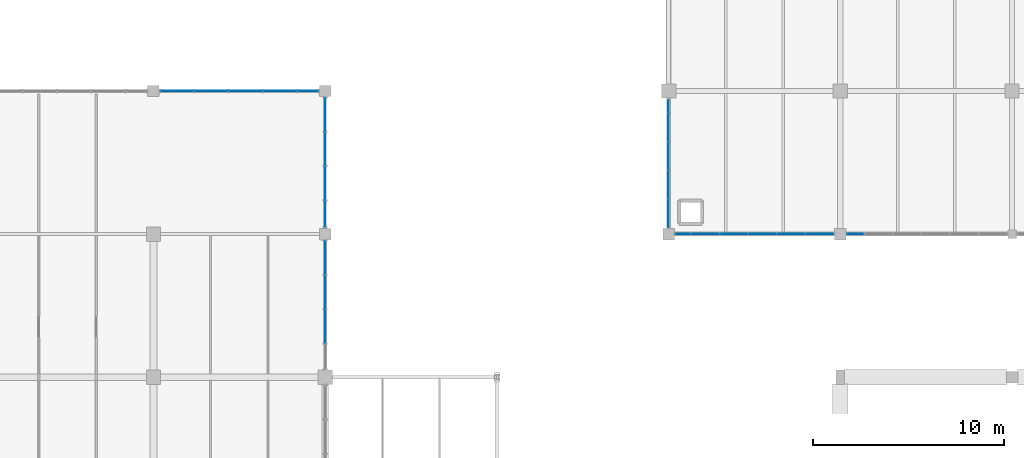
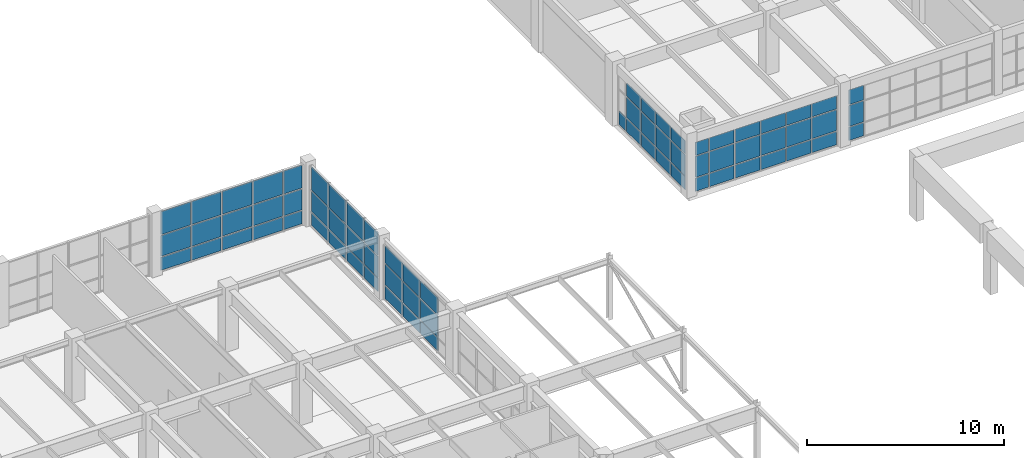
# One storey, part 46 of 76: 70 plates, 6 elements without a shape of their own.
"""IFC4 building model written with IfcOpenShell, lengths in metres."""

from ifc_helpers import new_model, si_unit, direction, frame, origin, origin_2d, place, context, subcontext, project, spatial, rectangle, extrude, material, layer, layer_set, type_object, element, aggregate, save


model = new_model("IFC4")

# Units and contexts
model_context = context("Model", 3, precision=1e-05, world=origin(), true_north=direction((0.0, 1.0)))
body_context = subcontext(model_context, "Body", "Model", "MODEL_VIEW")
ifc_project = project(units=[si_unit("LENGTHUNIT", "METRE"), si_unit("AREAUNIT", "SQUARE_METRE"), si_unit("VOLUMEUNIT", "CUBIC_METRE"), si_unit("PLANEANGLEUNIT", "RADIAN"), si_unit("MASSUNIT", "GRAM", prefix="KILO")], contexts=[model_context])

# Site, building, storey
site_placement = place(None, origin())
site = spatial("IfcSite", under=ifc_project, at=site_placement, CompositionType="ELEMENT")
building_placement = place(site_placement, origin())
building = spatial("IfcBuilding", under=site, at=building_placement, Name="Marnridge Secondary College", CompositionType="ELEMENT")
storey_placement = place(building_placement, frame((0.0, 0.0, 4.5)))
storey = spatial("IfcBuildingStorey", under=building, at=storey_placement, Name="L01", CompositionType="ELEMENT", Elevation=4.5)

# Curtain wall, plates
ifc_material_1 = material(Name="Thermally broken aluminium and low-E glazing", Category="aluminium")
ifc_layer_1 = layer(ifc_material_1, 0.159912109375)
ifc_layer_set_1 = layer_set([ifc_layer_1], Name="CW-MOD-1500")
curtain_wall_type_1 = type_object("IfcCurtainWallType", Name="CW-MOD-1500", PredefinedType="NOTDEFINED", material=ifc_layer_set_1)
curtain_wall_1_placement = place(storey_placement, origin())
curtain_wall_1 = element("IfcCurtainWall", 1, at=curtain_wall_1_placement, inside=storey, type_object=curtain_wall_type_1, Name="Unitised curtain wall CW-L01-037", PredefinedType="NOTDEFINED")
ifc_material_2 = material(Name="Double-glazed low-E argon unit", Category="glass")
ifc_layer_2 = layer(ifc_material_2, 0.028076171875)
ifc_layer_set_2 = layer_set([ifc_layer_2], Name="CWP-GLZ28")
plate_type_1 = type_object("IfcPlateType", Name="CWP-GLZ28", PredefinedType="CURTAIN_PANEL", material=ifc_layer_set_2)
plate_1_placement = place(storey_placement, frame((63.78759765625, 37.5, 0.06005859375), z_axis=(0.0, 0.0, 1.0), x_axis=(-1.0, 0.0, 0.0)))
plate_1 = element("IfcPlate", 2, at=plate_1_placement, type_object=plate_type_1, Name="CW-L01-037 panel 6.1", PredefinedType="CURTAIN_PANEL", context=body_context, shape_type="SweptSolid", body=[
    extrude(rectangle(XDim=0.846923828125, YDim=0.028076171875, at=origin_2d()), origin(), (0.0, 0.0, 1.0), 0.81005859375),
])
plate_2_placement = place(storey_placement, frame((63.78759765625, 37.5, 0.929931640625), z_axis=(0.0, 0.0, 1.0), x_axis=(-1.0, 0.0, 0.0)))
plate_2 = element("IfcPlate", 3, at=plate_2_placement, type_object=plate_type_1, Name="CW-L01-037 panel 6.2", PredefinedType="CURTAIN_PANEL", context=body_context, shape_type="SweptSolid", body=[
    extrude(rectangle(XDim=0.846923828125, YDim=0.028076171875, at=origin_2d()), origin(), (0.0, 0.0, 1.0), 1.2900390625),
])
plate_3_placement = place(storey_placement, frame((63.78759765625, 37.5, 2.27978515625), z_axis=(0.0, 0.0, 1.0), x_axis=(-1.0, 0.0, 0.0)))
plate_3 = element("IfcPlate", 4, at=plate_3_placement, type_object=plate_type_1, Name="CW-L01-037 panel 6.3", PredefinedType="CURTAIN_PANEL", context=body_context, shape_type="SweptSolid", body=[
    extrude(rectangle(XDim=0.846923828125, YDim=0.028076171875, at=origin_2d()), origin(), (0.0, 0.0, 1.0), 0.906982421875),
])
aggregate(curtain_wall_1, [plate_1, plate_2, plate_3])

curtain_wall_2_placement = place(storey_placement, origin())
curtain_wall_2 = element("IfcCurtainWall", 5, at=curtain_wall_2_placement, inside=storey, type_object=curtain_wall_type_1, Name="Unitised curtain wall CW-L01-038", PredefinedType="NOTDEFINED")
plate_4_placement = place(storey_placement, frame((61.916015625, 37.5, 0.06005859375), z_axis=(0.0, 0.0, 1.0), x_axis=(-1.0, 0.0, 0.0)))
plate_4 = element("IfcPlate", 6, at=plate_4_placement, type_object=plate_type_1, Name="CW-L01-038 panel 1.1", PredefinedType="CURTAIN_PANEL", context=body_context, shape_type="SweptSolid", body=[
    extrude(rectangle(XDim=1.43994140625, YDim=0.028076171875, at=origin_2d()), origin(), (0.0, 0.0, 1.0), 0.81005859375),
])
plate_5_placement = place(storey_placement, frame((61.916015625, 37.5, 0.929931640625), z_axis=(0.0, 0.0, 1.0), x_axis=(-1.0, 0.0, 0.0)))
plate_5 = element("IfcPlate", 7, at=plate_5_placement, type_object=plate_type_1, Name="CW-L01-038 panel 1.2", PredefinedType="CURTAIN_PANEL", context=body_context, shape_type="SweptSolid", body=[
    extrude(rectangle(XDim=1.43994140625, YDim=0.028076171875, at=origin_2d()), origin(), (0.0, 0.0, 1.0), 1.2900390625),
])
plate_6_placement = place(storey_placement, frame((61.916015625, 37.5, 2.2802734375), z_axis=(0.0, 0.0, 1.0), x_axis=(-1.0, 0.0, 0.0)))
plate_6 = element("IfcPlate", 8, at=plate_6_placement, type_object=plate_type_1, Name="CW-L01-038 panel 1.3", PredefinedType="CURTAIN_PANEL", context=body_context, shape_type="SweptSolid", body=[
    extrude(rectangle(XDim=1.43994140625, YDim=0.028076171875, at=origin_2d()), origin(), (0.0, 0.0, 1.0), 0.806884765625),
])
plate_7_placement = place(storey_placement, frame((60.416015625, 37.5, 0.06005859375), z_axis=(0.0, 0.0, 1.0), x_axis=(-1.0, 0.0, 0.0)))
plate_7 = element("IfcPlate", 9, at=plate_7_placement, type_object=plate_type_1, Name="CW-L01-038 panel 2.1", PredefinedType="CURTAIN_PANEL", context=body_context, shape_type="SweptSolid", body=[
    extrude(rectangle(XDim=1.43994140625, YDim=0.028076171875, at=origin_2d()), origin(), (0.0, 0.0, 1.0), 0.81005859375),
])
plate_8_placement = place(storey_placement, frame((60.416015625, 37.5, 0.929931640625), z_axis=(0.0, 0.0, 1.0), x_axis=(-1.0, 0.0, 0.0)))
plate_8 = element("IfcPlate", 10, at=plate_8_placement, type_object=plate_type_1, Name="CW-L01-038 panel 2.2", PredefinedType="CURTAIN_PANEL", context=body_context, shape_type="SweptSolid", body=[
    extrude(rectangle(XDim=1.43994140625, YDim=0.028076171875, at=origin_2d()), origin(), (0.0, 0.0, 1.0), 1.2900390625),
])
plate_9_placement = place(storey_placement, frame((60.416015625, 37.5, 2.2802734375), z_axis=(0.0, 0.0, 1.0), x_axis=(-1.0, 0.0, 0.0)))
plate_9 = element("IfcPlate", 11, at=plate_9_placement, type_object=plate_type_1, Name="CW-L01-038 panel 2.3", PredefinedType="CURTAIN_PANEL", context=body_context, shape_type="SweptSolid", body=[
    extrude(rectangle(XDim=1.43994140625, YDim=0.028076171875, at=origin_2d()), origin(), (0.0, 0.0, 1.0), 0.806884765625),
])
plate_10_placement = place(storey_placement, frame((58.916015625, 37.5, 0.06005859375), z_axis=(0.0, 0.0, 1.0), x_axis=(-1.0, 0.0, 0.0)))
plate_10 = element("IfcPlate", 12, at=plate_10_placement, type_object=plate_type_1, Name="CW-L01-038 panel 3.1", PredefinedType="CURTAIN_PANEL", context=body_context, shape_type="SweptSolid", body=[
    extrude(rectangle(XDim=1.43994140625, YDim=0.028076171875, at=origin_2d()), origin(), (0.0, 0.0, 1.0), 0.81005859375),
])
plate_11_placement = place(storey_placement, frame((58.916015625, 37.5, 0.929931640625), z_axis=(0.0, 0.0, 1.0), x_axis=(-1.0, 0.0, 0.0)))
plate_11 = element("IfcPlate", 13, at=plate_11_placement, type_object=plate_type_1, Name="CW-L01-038 panel 3.2", PredefinedType="CURTAIN_PANEL", context=body_context, shape_type="SweptSolid", body=[
    extrude(rectangle(XDim=1.43994140625, YDim=0.028076171875, at=origin_2d()), origin(), (0.0, 0.0, 1.0), 1.2900390625),
])
plate_12_placement = place(storey_placement, frame((58.916015625, 37.5, 2.2802734375), z_axis=(0.0, 0.0, 1.0), x_axis=(-1.0, 0.0, 0.0)))
plate_12 = element("IfcPlate", 14, at=plate_12_placement, type_object=plate_type_1, Name="CW-L01-038 panel 3.3", PredefinedType="CURTAIN_PANEL", context=body_context, shape_type="SweptSolid", body=[
    extrude(rectangle(XDim=1.43994140625, YDim=0.028076171875, at=origin_2d()), origin(), (0.0, 0.0, 1.0), 0.806884765625),
])
plate_13_placement = place(storey_placement, frame((57.416015625, 37.5, 0.06005859375), z_axis=(0.0, 0.0, 1.0), x_axis=(-1.0, 0.0, 0.0)))
plate_13 = element("IfcPlate", 15, at=plate_13_placement, type_object=plate_type_1, Name="CW-L01-038 panel 4.1", PredefinedType="CURTAIN_PANEL", context=body_context, shape_type="SweptSolid", body=[
    extrude(rectangle(XDim=1.43994140625, YDim=0.028076171875, at=origin_2d()), origin(), (0.0, 0.0, 1.0), 0.81005859375),
])
plate_14_placement = place(storey_placement, frame((57.416015625, 37.5, 0.929931640625), z_axis=(0.0, 0.0, 1.0), x_axis=(-1.0, 0.0, 0.0)))
plate_14 = element("IfcPlate", 16, at=plate_14_placement, type_object=plate_type_1, Name="CW-L01-038 panel 4.2", PredefinedType="CURTAIN_PANEL", context=body_context, shape_type="SweptSolid", body=[
    extrude(rectangle(XDim=1.43994140625, YDim=0.028076171875, at=origin_2d()), origin(), (0.0, 0.0, 1.0), 1.2900390625),
])
plate_15_placement = place(storey_placement, frame((57.416015625, 37.5, 2.2802734375), z_axis=(0.0, 0.0, 1.0), x_axis=(-1.0, 0.0, 0.0)))
plate_15 = element("IfcPlate", 17, at=plate_15_placement, type_object=plate_type_1, Name="CW-L01-038 panel 4.3", PredefinedType="CURTAIN_PANEL", context=body_context, shape_type="SweptSolid", body=[
    extrude(rectangle(XDim=1.43994140625, YDim=0.028076171875, at=origin_2d()), origin(), (0.0, 0.0, 1.0), 0.806884765625),
])
plate_16_placement = place(storey_placement, frame((55.916015625, 37.5, 0.06005859375), z_axis=(0.0, 0.0, 1.0), x_axis=(-1.0, 0.0, 0.0)))
plate_16 = element("IfcPlate", 18, at=plate_16_placement, type_object=plate_type_1, Name="CW-L01-038 panel 5.1", PredefinedType="CURTAIN_PANEL", context=body_context, shape_type="SweptSolid", body=[
    extrude(rectangle(XDim=1.43994140625, YDim=0.028076171875, at=origin_2d()), origin(), (0.0, 0.0, 1.0), 0.81005859375),
])
plate_17_placement = place(storey_placement, frame((55.916015625, 37.5, 0.929931640625), z_axis=(0.0, 0.0, 1.0), x_axis=(-1.0, 0.0, 0.0)))
plate_17 = element("IfcPlate", 19, at=plate_17_placement, type_object=plate_type_1, Name="CW-L01-038 panel 5.2", PredefinedType="CURTAIN_PANEL", context=body_context, shape_type="SweptSolid", body=[
    extrude(rectangle(XDim=1.43994140625, YDim=0.028076171875, at=origin_2d()), origin(), (0.0, 0.0, 1.0), 1.2900390625),
])
plate_18_placement = place(storey_placement, frame((55.916015625, 37.5, 2.2802734375), z_axis=(0.0, 0.0, 1.0), x_axis=(-1.0, 0.0, 0.0)))
plate_18 = element("IfcPlate", 20, at=plate_18_placement, type_object=plate_type_1, Name="CW-L01-038 panel 5.3", PredefinedType="CURTAIN_PANEL", context=body_context, shape_type="SweptSolid", body=[
    extrude(rectangle(XDim=1.43994140625, YDim=0.028076171875, at=origin_2d()), origin(), (0.0, 0.0, 1.0), 0.806884765625),
])
plate_19_placement = place(storey_placement, frame((54.75, 37.5, 0.06005859375), z_axis=(0.0, 0.0, 1.0), x_axis=(-1.0, 0.0, 0.0)))
plate_19 = element("IfcPlate", 21, at=plate_19_placement, type_object=plate_type_1, Name="CW-L01-038 panel 6.1", PredefinedType="CURTAIN_PANEL", context=body_context, shape_type="SweptSolid", body=[
    extrude(rectangle(XDim=0.77197265625, YDim=0.028076171875, at=origin_2d()), origin(), (0.0, 0.0, 1.0), 0.81005859375),
])
plate_20_placement = place(storey_placement, frame((54.75, 37.5, 0.929931640625), z_axis=(0.0, 0.0, 1.0), x_axis=(-1.0, 0.0, 0.0)))
plate_20 = element("IfcPlate", 22, at=plate_20_placement, type_object=plate_type_1, Name="CW-L01-038 panel 6.2", PredefinedType="CURTAIN_PANEL", context=body_context, shape_type="SweptSolid", body=[
    extrude(rectangle(XDim=0.77197265625, YDim=0.028076171875, at=origin_2d()), origin(), (0.0, 0.0, 1.0), 1.2900390625),
])
plate_21_placement = place(storey_placement, frame((54.75, 37.5, 2.2802734375), z_axis=(0.0, 0.0, 1.0), x_axis=(-1.0, 0.0, 0.0)))
plate_21 = element("IfcPlate", 23, at=plate_21_placement, type_object=plate_type_1, Name="CW-L01-038 panel 6.3", PredefinedType="CURTAIN_PANEL", context=body_context, shape_type="SweptSolid", body=[
    extrude(rectangle(XDim=0.77197265625, YDim=0.028076171875, at=origin_2d()), origin(), (0.0, 0.0, 1.0), 0.806884765625),
])
aggregate(curtain_wall_2, [plate_4, plate_5, plate_6, plate_7, plate_8, plate_9, plate_10, plate_11, plate_12, plate_13, plate_14, plate_15, plate_16, plate_17, plate_18, plate_19, plate_20, plate_21])

curtain_wall_3_placement = place(storey_placement, origin())
curtain_wall_3 = element("IfcCurtainWall", 24, at=curtain_wall_3_placement, inside=storey, type_object=curtain_wall_type_1, Name="Unitised curtain wall CW-L01-039", PredefinedType="NOTDEFINED")
plate_22_placement = place(storey_placement, frame((54.0, 38.583984375, 0.06005859375), z_axis=(0.0, 0.0, 1.0), x_axis=(0.0, 1.0, 0.0)))
plate_22 = element("IfcPlate", 25, at=plate_22_placement, type_object=plate_type_1, Name="CW-L01-039 panel 1.1", PredefinedType="CURTAIN_PANEL", context=body_context, shape_type="SweptSolid", body=[
    extrude(rectangle(XDim=1.43994140625, YDim=0.028076171875, at=origin_2d()), origin(), (0.0, 0.0, 1.0), 0.81005859375),
])
plate_23_placement = place(storey_placement, frame((54.0, 38.583984375, 0.929931640625), z_axis=(0.0, 0.0, 1.0), x_axis=(0.0, 1.0, 0.0)))
plate_23 = element("IfcPlate", 26, at=plate_23_placement, type_object=plate_type_1, Name="CW-L01-039 panel 1.2", PredefinedType="CURTAIN_PANEL", context=body_context, shape_type="SweptSolid", body=[
    extrude(rectangle(XDim=1.43994140625, YDim=0.028076171875, at=origin_2d()), origin(), (0.0, 0.0, 1.0), 1.2900390625),
])
plate_24_placement = place(storey_placement, frame((54.0, 38.583984375, 2.2802734375), z_axis=(0.0, 0.0, 1.0), x_axis=(0.0, 1.0, 0.0)))
plate_24 = element("IfcPlate", 27, at=plate_24_placement, type_object=plate_type_1, Name="CW-L01-039 panel 1.3", PredefinedType="CURTAIN_PANEL", context=body_context, shape_type="SweptSolid", body=[
    extrude(rectangle(XDim=1.43994140625, YDim=0.028076171875, at=origin_2d()), origin(), (0.0, 0.0, 1.0), 0.806884765625),
])
plate_25_placement = place(storey_placement, frame((54.0, 40.083984375, 0.06005859375), z_axis=(0.0, 0.0, 1.0), x_axis=(0.0, 1.0, 0.0)))
plate_25 = element("IfcPlate", 28, at=plate_25_placement, type_object=plate_type_1, Name="CW-L01-039 panel 2.1", PredefinedType="CURTAIN_PANEL", context=body_context, shape_type="SweptSolid", body=[
    extrude(rectangle(XDim=1.43994140625, YDim=0.028076171875, at=origin_2d()), origin(), (0.0, 0.0, 1.0), 0.81005859375),
])
plate_26_placement = place(storey_placement, frame((54.0, 40.083984375, 0.929931640625), z_axis=(0.0, 0.0, 1.0), x_axis=(0.0, 1.0, 0.0)))
plate_26 = element("IfcPlate", 29, at=plate_26_placement, type_object=plate_type_1, Name="CW-L01-039 panel 2.2", PredefinedType="CURTAIN_PANEL", context=body_context, shape_type="SweptSolid", body=[
    extrude(rectangle(XDim=1.43994140625, YDim=0.028076171875, at=origin_2d()), origin(), (0.0, 0.0, 1.0), 1.2900390625),
])
plate_27_placement = place(storey_placement, frame((54.0, 40.083984375, 2.2802734375), z_axis=(0.0, 0.0, 1.0), x_axis=(0.0, 1.0, 0.0)))
plate_27 = element("IfcPlate", 30, at=plate_27_placement, type_object=plate_type_1, Name="CW-L01-039 panel 2.3", PredefinedType="CURTAIN_PANEL", context=body_context, shape_type="SweptSolid", body=[
    extrude(rectangle(XDim=1.43994140625, YDim=0.028076171875, at=origin_2d()), origin(), (0.0, 0.0, 1.0), 0.806884765625),
])
plate_28_placement = place(storey_placement, frame((54.0, 41.583984375, 0.06005859375), z_axis=(0.0, 0.0, 1.0), x_axis=(0.0, 1.0, 0.0)))
plate_28 = element("IfcPlate", 31, at=plate_28_placement, type_object=plate_type_1, Name="CW-L01-039 panel 3.1", PredefinedType="CURTAIN_PANEL", context=body_context, shape_type="SweptSolid", body=[
    extrude(rectangle(XDim=1.43994140625, YDim=0.028076171875, at=origin_2d()), origin(), (0.0, 0.0, 1.0), 0.81005859375),
])
plate_29_placement = place(storey_placement, frame((54.0, 41.583984375, 0.929931640625), z_axis=(0.0, 0.0, 1.0), x_axis=(0.0, 1.0, 0.0)))
plate_29 = element("IfcPlate", 32, at=plate_29_placement, type_object=plate_type_1, Name="CW-L01-039 panel 3.2", PredefinedType="CURTAIN_PANEL", context=body_context, shape_type="SweptSolid", body=[
    extrude(rectangle(XDim=1.43994140625, YDim=0.028076171875, at=origin_2d()), origin(), (0.0, 0.0, 1.0), 1.2900390625),
])
plate_30_placement = place(storey_placement, frame((54.0, 41.583984375, 2.2802734375), z_axis=(0.0, 0.0, 1.0), x_axis=(0.0, 1.0, 0.0)))
plate_30 = element("IfcPlate", 33, at=plate_30_placement, type_object=plate_type_1, Name="CW-L01-039 panel 3.3", PredefinedType="CURTAIN_PANEL", context=body_context, shape_type="SweptSolid", body=[
    extrude(rectangle(XDim=1.43994140625, YDim=0.028076171875, at=origin_2d()), origin(), (0.0, 0.0, 1.0), 0.806884765625),
])
plate_31_placement = place(storey_placement, frame((54.0, 43.083984375, 0.06005859375), z_axis=(0.0, 0.0, 1.0), x_axis=(0.0, 1.0, 0.0)))
plate_31 = element("IfcPlate", 34, at=plate_31_placement, type_object=plate_type_1, Name="CW-L01-039 panel 4.1", PredefinedType="CURTAIN_PANEL", context=body_context, shape_type="SweptSolid", body=[
    extrude(rectangle(XDim=1.43994140625, YDim=0.028076171875, at=origin_2d()), origin(), (0.0, 0.0, 1.0), 0.81005859375),
])
plate_32_placement = place(storey_placement, frame((54.0, 43.083984375, 0.929931640625), z_axis=(0.0, 0.0, 1.0), x_axis=(0.0, 1.0, 0.0)))
plate_32 = element("IfcPlate", 35, at=plate_32_placement, type_object=plate_type_1, Name="CW-L01-039 panel 4.2", PredefinedType="CURTAIN_PANEL", context=body_context, shape_type="SweptSolid", body=[
    extrude(rectangle(XDim=1.43994140625, YDim=0.028076171875, at=origin_2d()), origin(), (0.0, 0.0, 1.0), 1.2900390625),
])
plate_33_placement = place(storey_placement, frame((54.0, 43.083984375, 2.2802734375), z_axis=(0.0, 0.0, 1.0), x_axis=(0.0, 1.0, 0.0)))
plate_33 = element("IfcPlate", 36, at=plate_33_placement, type_object=plate_type_1, Name="CW-L01-039 panel 4.3", PredefinedType="CURTAIN_PANEL", context=body_context, shape_type="SweptSolid", body=[
    extrude(rectangle(XDim=1.43994140625, YDim=0.028076171875, at=origin_2d()), origin(), (0.0, 0.0, 1.0), 0.806884765625),
])
plate_34_placement = place(storey_placement, frame((54.0, 44.21240234375, 0.06005859375), z_axis=(0.0, 0.0, 1.0), x_axis=(0.0, 1.0, 0.0)))
plate_34 = element("IfcPlate", 37, at=plate_34_placement, type_object=plate_type_1, Name="CW-L01-039 panel 5.1", PredefinedType="CURTAIN_PANEL", context=body_context, shape_type="SweptSolid", body=[
    extrude(rectangle(XDim=0.697021484375, YDim=0.028076171875, at=origin_2d()), origin(), (0.0, 0.0, 1.0), 0.81005859375),
])
aggregate(curtain_wall_3, [plate_22, plate_23, plate_24, plate_25, plate_26, plate_27, plate_28, plate_29, plate_30, plate_31, plate_32, plate_33, plate_34])

ifc_material_3 = material(Name="Bronze-anodised aluminium and solar-control glazing", Category="aluminium")
ifc_layer_3 = layer(ifc_material_3, 0.199951171875)
ifc_layer_set_3 = layer_set([ifc_layer_3], Name="CW-MOD-1800")
curtain_wall_type_2 = type_object("IfcCurtainWallType", Name="CW-MOD-1800", PredefinedType="NOTDEFINED", material=ifc_layer_set_3)
curtain_wall_4_placement = place(storey_placement, origin())
curtain_wall_4 = element("IfcCurtainWall", 38, at=curtain_wall_4_placement, inside=storey, type_object=curtain_wall_type_2, Name="Unitised curtain wall CW-L01-062", PredefinedType="NOTDEFINED")
ifc_material_4 = material(Name="Acoustic laminated solar-control double glazing", Category="glass")
ifc_layer_4 = layer(ifc_material_4, 0.035888671875)
ifc_layer_set_4 = layer_set([ifc_layer_4], Name="CWP-GLZ36")
plate_type_2 = type_object("IfcPlateType", Name="CWP-GLZ36", PredefinedType="CURTAIN_PANEL", material=ifc_layer_set_4)
plate_35_placement = place(storey_placement, frame((28.239013671875, 45.0, 0.06494140625), z_axis=(0.0, 0.0, 1.0), x_axis=(1.0, 0.0, 0.0)))
plate_35 = element("IfcPlate", 39, at=plate_35_placement, type_object=plate_type_2, Name="CW-L01-062 panel 1.1", PredefinedType="CURTAIN_PANEL", context=body_context, shape_type="SweptSolid", body=[
    extrude(rectangle(XDim=1.72998046875, YDim=0.035888671875, at=origin_2d()), origin(), (0.0, 0.0, 1.0), 0.802490234375),
])
plate_36_placement = place(storey_placement, frame((28.239013671875, 45.0, 0.9326171875), z_axis=(0.0, 0.0, 1.0), x_axis=(1.0, 0.0, 0.0)))
plate_36 = element("IfcPlate", 40, at=plate_36_placement, type_object=plate_type_2, Name="CW-L01-062 panel 1.2", PredefinedType="CURTAIN_PANEL", context=body_context, shape_type="SweptSolid", body=[
    extrude(rectangle(XDim=1.72998046875, YDim=0.035888671875, at=origin_2d()), origin(), (0.0, 0.0, 1.0), 1.284912109375),
])
plate_37_placement = place(storey_placement, frame((28.239013671875, 45.0, 2.2822265625), z_axis=(0.0, 0.0, 1.0), x_axis=(1.0, 0.0, 0.0)))
plate_37 = element("IfcPlate", 41, at=plate_37_placement, type_object=plate_type_2, Name="CW-L01-062 panel 1.3", PredefinedType="CURTAIN_PANEL", context=body_context, shape_type="SweptSolid", body=[
    extrude(rectangle(XDim=1.72998046875, YDim=0.035888671875, at=origin_2d()), origin(), (0.0, 0.0, 1.0), 1.422607421875),
])
plate_38_placement = place(storey_placement, frame((30.0390625, 45.0, 0.06494140625), z_axis=(0.0, 0.0, 1.0), x_axis=(1.0, 0.0, 0.0)))
plate_38 = element("IfcPlate", 42, at=plate_38_placement, type_object=plate_type_2, Name="CW-L01-062 panel 2.1", PredefinedType="CURTAIN_PANEL", context=body_context, shape_type="SweptSolid", body=[
    extrude(rectangle(XDim=1.72998046875, YDim=0.035888671875, at=origin_2d()), origin(), (0.0, 0.0, 1.0), 0.802490234375),
])
plate_39_placement = place(storey_placement, frame((30.0390625, 45.0, 0.9326171875), z_axis=(0.0, 0.0, 1.0), x_axis=(1.0, 0.0, 0.0)))
plate_39 = element("IfcPlate", 43, at=plate_39_placement, type_object=plate_type_2, Name="CW-L01-062 panel 2.2", PredefinedType="CURTAIN_PANEL", context=body_context, shape_type="SweptSolid", body=[
    extrude(rectangle(XDim=1.72998046875, YDim=0.035888671875, at=origin_2d()), origin(), (0.0, 0.0, 1.0), 1.284912109375),
])
plate_40_placement = place(storey_placement, frame((30.0390625, 45.0, 2.2822265625), z_axis=(0.0, 0.0, 1.0), x_axis=(1.0, 0.0, 0.0)))
plate_40 = element("IfcPlate", 44, at=plate_40_placement, type_object=plate_type_2, Name="CW-L01-062 panel 2.3", PredefinedType="CURTAIN_PANEL", context=body_context, shape_type="SweptSolid", body=[
    extrude(rectangle(XDim=1.72998046875, YDim=0.035888671875, at=origin_2d()), origin(), (0.0, 0.0, 1.0), 1.422607421875),
])
plate_41_placement = place(storey_placement, frame((31.839111328125, 45.0, 0.06494140625), z_axis=(0.0, 0.0, 1.0), x_axis=(1.0, 0.0, 0.0)))
plate_41 = element("IfcPlate", 45, at=plate_41_placement, type_object=plate_type_2, Name="CW-L01-062 panel 3.1", PredefinedType="CURTAIN_PANEL", context=body_context, shape_type="SweptSolid", body=[
    extrude(rectangle(XDim=1.72998046875, YDim=0.035888671875, at=origin_2d()), origin(), (0.0, 0.0, 1.0), 0.802490234375),
])
plate_42_placement = place(storey_placement, frame((31.839111328125, 45.0, 0.9326171875), z_axis=(0.0, 0.0, 1.0), x_axis=(1.0, 0.0, 0.0)))
plate_42 = element("IfcPlate", 46, at=plate_42_placement, type_object=plate_type_2, Name="CW-L01-062 panel 3.2", PredefinedType="CURTAIN_PANEL", context=body_context, shape_type="SweptSolid", body=[
    extrude(rectangle(XDim=1.72998046875, YDim=0.035888671875, at=origin_2d()), origin(), (0.0, 0.0, 1.0), 1.284912109375),
])
plate_43_placement = place(storey_placement, frame((31.839111328125, 45.0, 2.2822265625), z_axis=(0.0, 0.0, 1.0), x_axis=(1.0, 0.0, 0.0)))
plate_43 = element("IfcPlate", 47, at=plate_43_placement, type_object=plate_type_2, Name="CW-L01-062 panel 3.3", PredefinedType="CURTAIN_PANEL", context=body_context, shape_type="SweptSolid", body=[
    extrude(rectangle(XDim=1.72998046875, YDim=0.035888671875, at=origin_2d()), origin(), (0.0, 0.0, 1.0), 1.422607421875),
])
plate_44_placement = place(storey_placement, frame((33.638916015625, 45.0, 0.06494140625), z_axis=(0.0, 0.0, 1.0), x_axis=(1.0, 0.0, 0.0)))
plate_44 = element("IfcPlate", 48, at=plate_44_placement, type_object=plate_type_2, Name="CW-L01-062 panel 4.1", PredefinedType="CURTAIN_PANEL", context=body_context, shape_type="SweptSolid", body=[
    extrude(rectangle(XDim=1.72998046875, YDim=0.035888671875, at=origin_2d()), origin(), (0.0, 0.0, 1.0), 0.802490234375),
])
plate_45_placement = place(storey_placement, frame((33.638916015625, 45.0, 0.9326171875), z_axis=(0.0, 0.0, 1.0), x_axis=(1.0, 0.0, 0.0)))
plate_45 = element("IfcPlate", 49, at=plate_45_placement, type_object=plate_type_2, Name="CW-L01-062 panel 4.2", PredefinedType="CURTAIN_PANEL", context=body_context, shape_type="SweptSolid", body=[
    extrude(rectangle(XDim=1.72998046875, YDim=0.035888671875, at=origin_2d()), origin(), (0.0, 0.0, 1.0), 1.284912109375),
])
plate_46_placement = place(storey_placement, frame((33.638916015625, 45.0, 2.2822265625), z_axis=(0.0, 0.0, 1.0), x_axis=(1.0, 0.0, 0.0)))
plate_46 = element("IfcPlate", 50, at=plate_46_placement, type_object=plate_type_2, Name="CW-L01-062 panel 4.3", PredefinedType="CURTAIN_PANEL", context=body_context, shape_type="SweptSolid", body=[
    extrude(rectangle(XDim=1.72998046875, YDim=0.035888671875, at=origin_2d()), origin(), (0.0, 0.0, 1.0), 1.422607421875),
])
plate_47_placement = place(storey_placement, frame((35.10009765625, 45.0, 0.06494140625), z_axis=(0.0, 0.0, 1.0), x_axis=(1.0, 0.0, 0.0)))
plate_47 = element("IfcPlate", 51, at=plate_47_placement, type_object=plate_type_2, Name="CW-L01-062 panel 5.1", PredefinedType="CURTAIN_PANEL", context=body_context, shape_type="SweptSolid", body=[
    extrude(rectangle(XDim=1.052001953125, YDim=0.035888671875, at=origin_2d()), origin(), (0.0, 0.0, 1.0), 0.802490234375),
])
plate_48_placement = place(storey_placement, frame((35.10009765625, 45.0, 0.9326171875), z_axis=(0.0, 0.0, 1.0), x_axis=(1.0, 0.0, 0.0)))
plate_48 = element("IfcPlate", 52, at=plate_48_placement, type_object=plate_type_2, Name="CW-L01-062 panel 5.2", PredefinedType="CURTAIN_PANEL", context=body_context, shape_type="SweptSolid", body=[
    extrude(rectangle(XDim=1.052001953125, YDim=0.035888671875, at=origin_2d()), origin(), (0.0, 0.0, 1.0), 1.284912109375),
])
plate_49_placement = place(storey_placement, frame((35.10009765625, 45.0, 2.2822265625), z_axis=(0.0, 0.0, 1.0), x_axis=(1.0, 0.0, 0.0)))
plate_49 = element("IfcPlate", 53, at=plate_49_placement, type_object=plate_type_2, Name="CW-L01-062 panel 5.3", PredefinedType="CURTAIN_PANEL", context=body_context, shape_type="SweptSolid", body=[
    extrude(rectangle(XDim=1.052001953125, YDim=0.035888671875, at=origin_2d()), origin(), (0.0, 0.0, 1.0), 1.422607421875),
])
aggregate(curtain_wall_4, [plate_35, plate_36, plate_37, plate_38, plate_39, plate_40, plate_41, plate_42, plate_43, plate_44, plate_45, plate_46, plate_47, plate_48, plate_49])

curtain_wall_5_placement = place(storey_placement, origin())
curtain_wall_5 = element("IfcCurtainWall", 54, at=curtain_wall_5_placement, inside=storey, type_object=curtain_wall_type_2, Name="Unitised curtain wall CW-L01-063", PredefinedType="NOTDEFINED")
plate_50_placement = place(storey_placement, frame((36.0, 43.760986328125, 0.06494140625), z_axis=(0.0, 0.0, 1.0), x_axis=(0.0, -1.0, 0.0)))
plate_50 = element("IfcPlate", 55, at=plate_50_placement, type_object=plate_type_2, Name="CW-L01-063 panel 1.1", PredefinedType="CURTAIN_PANEL", context=body_context, shape_type="SweptSolid", body=[
    extrude(rectangle(XDim=1.72998046875, YDim=0.035888671875, at=origin_2d()), origin(), (0.0, 0.0, 1.0), 0.802490234375),
])
plate_51_placement = place(storey_placement, frame((36.0, 43.760986328125, 0.9326171875), z_axis=(0.0, 0.0, 1.0), x_axis=(0.0, -1.0, 0.0)))
plate_51 = element("IfcPlate", 56, at=plate_51_placement, type_object=plate_type_2, Name="CW-L01-063 panel 1.2", PredefinedType="CURTAIN_PANEL", context=body_context, shape_type="SweptSolid", body=[
    extrude(rectangle(XDim=1.72998046875, YDim=0.035888671875, at=origin_2d()), origin(), (0.0, 0.0, 1.0), 1.284912109375),
])
plate_52_placement = place(storey_placement, frame((36.0, 43.760986328125, 2.2822265625), z_axis=(0.0, 0.0, 1.0), x_axis=(0.0, -1.0, 0.0)))
plate_52 = element("IfcPlate", 57, at=plate_52_placement, type_object=plate_type_2, Name="CW-L01-063 panel 1.3", PredefinedType="CURTAIN_PANEL", context=body_context, shape_type="SweptSolid", body=[
    extrude(rectangle(XDim=1.72998046875, YDim=0.035888671875, at=origin_2d()), origin(), (0.0, 0.0, 1.0), 1.422607421875),
])
plate_53_placement = place(storey_placement, frame((36.0, 41.9609375, 0.06494140625), z_axis=(0.0, 0.0, 1.0), x_axis=(0.0, -1.0, 0.0)))
plate_53 = element("IfcPlate", 58, at=plate_53_placement, type_object=plate_type_2, Name="CW-L01-063 panel 2.1", PredefinedType="CURTAIN_PANEL", context=body_context, shape_type="SweptSolid", body=[
    extrude(rectangle(XDim=1.72998046875, YDim=0.035888671875, at=origin_2d()), origin(), (0.0, 0.0, 1.0), 0.802490234375),
])
plate_54_placement = place(storey_placement, frame((36.0, 41.9609375, 0.9326171875), z_axis=(0.0, 0.0, 1.0), x_axis=(0.0, -1.0, 0.0)))
plate_54 = element("IfcPlate", 59, at=plate_54_placement, type_object=plate_type_2, Name="CW-L01-063 panel 2.2", PredefinedType="CURTAIN_PANEL", context=body_context, shape_type="SweptSolid", body=[
    extrude(rectangle(XDim=1.72998046875, YDim=0.035888671875, at=origin_2d()), origin(), (0.0, 0.0, 1.0), 1.284912109375),
])
plate_55_placement = place(storey_placement, frame((36.0, 41.9609375, 2.2822265625), z_axis=(0.0, 0.0, 1.0), x_axis=(0.0, -1.0, 0.0)))
plate_55 = element("IfcPlate", 60, at=plate_55_placement, type_object=plate_type_2, Name="CW-L01-063 panel 2.3", PredefinedType="CURTAIN_PANEL", context=body_context, shape_type="SweptSolid", body=[
    extrude(rectangle(XDim=1.72998046875, YDim=0.035888671875, at=origin_2d()), origin(), (0.0, 0.0, 1.0), 1.422607421875),
])
plate_56_placement = place(storey_placement, frame((36.0, 40.160888671875, 0.06494140625), z_axis=(0.0, 0.0, 1.0), x_axis=(0.0, -1.0, 0.0)))
plate_56 = element("IfcPlate", 61, at=plate_56_placement, type_object=plate_type_2, Name="CW-L01-063 panel 3.1", PredefinedType="CURTAIN_PANEL", context=body_context, shape_type="SweptSolid", body=[
    extrude(rectangle(XDim=1.72998046875, YDim=0.035888671875, at=origin_2d()), origin(), (0.0, 0.0, 1.0), 0.802490234375),
])
plate_57_placement = place(storey_placement, frame((36.0, 40.160888671875, 0.9326171875), z_axis=(0.0, 0.0, 1.0), x_axis=(0.0, -1.0, 0.0)))
plate_57 = element("IfcPlate", 62, at=plate_57_placement, type_object=plate_type_2, Name="CW-L01-063 panel 3.2", PredefinedType="CURTAIN_PANEL", context=body_context, shape_type="SweptSolid", body=[
    extrude(rectangle(XDim=1.72998046875, YDim=0.035888671875, at=origin_2d()), origin(), (0.0, 0.0, 1.0), 1.284912109375),
])
plate_58_placement = place(storey_placement, frame((36.0, 40.160888671875, 2.2822265625), z_axis=(0.0, 0.0, 1.0), x_axis=(0.0, -1.0, 0.0)))
plate_58 = element("IfcPlate", 63, at=plate_58_placement, type_object=plate_type_2, Name="CW-L01-063 panel 3.3", PredefinedType="CURTAIN_PANEL", context=body_context, shape_type="SweptSolid", body=[
    extrude(rectangle(XDim=1.72998046875, YDim=0.035888671875, at=origin_2d()), origin(), (0.0, 0.0, 1.0), 1.422607421875),
])
plate_59_placement = place(storey_placement, frame((36.0, 38.550048828125, 0.06494140625), z_axis=(0.0, 0.0, 1.0), x_axis=(0.0, -1.0, 0.0)))
plate_59 = element("IfcPlate", 64, at=plate_59_placement, type_object=plate_type_2, Name="CW-L01-063 panel 4.1", PredefinedType="CURTAIN_PANEL", context=body_context, shape_type="SweptSolid", body=[
    extrude(rectangle(XDim=1.35205078125, YDim=0.035888671875, at=origin_2d()), origin(), (0.0, 0.0, 1.0), 0.802490234375),
])
plate_60_placement = place(storey_placement, frame((36.0, 38.550048828125, 0.9326171875), z_axis=(0.0, 0.0, 1.0), x_axis=(0.0, -1.0, 0.0)))
plate_60 = element("IfcPlate", 65, at=plate_60_placement, type_object=plate_type_2, Name="CW-L01-063 panel 4.2", PredefinedType="CURTAIN_PANEL", context=body_context, shape_type="SweptSolid", body=[
    extrude(rectangle(XDim=1.35205078125, YDim=0.035888671875, at=origin_2d()), origin(), (0.0, 0.0, 1.0), 1.284912109375),
])
plate_61_placement = place(storey_placement, frame((36.0, 38.550048828125, 2.2822265625), z_axis=(0.0, 0.0, 1.0), x_axis=(0.0, -1.0, 0.0)))
plate_61 = element("IfcPlate", 66, at=plate_61_placement, type_object=plate_type_2, Name="CW-L01-063 panel 4.3", PredefinedType="CURTAIN_PANEL", context=body_context, shape_type="SweptSolid", body=[
    extrude(rectangle(XDim=1.35205078125, YDim=0.035888671875, at=origin_2d()), origin(), (0.0, 0.0, 1.0), 1.422607421875),
])
aggregate(curtain_wall_5, [plate_50, plate_51, plate_52, plate_53, plate_54, plate_55, plate_56, plate_57, plate_58, plate_59, plate_60, plate_61])

curtain_wall_6_placement = place(storey_placement, origin())
curtain_wall_6 = element("IfcCurtainWall", 67, at=curtain_wall_6_placement, inside=storey, type_object=curtain_wall_type_2, Name="Unitised curtain wall CW-L01-064", PredefinedType="NOTDEFINED")
plate_62_placement = place(storey_placement, frame((36.0, 36.260986328125, 0.06494140625), z_axis=(0.0, 0.0, 1.0), x_axis=(0.0, -1.0, 0.0)))
plate_62 = element("IfcPlate", 68, at=plate_62_placement, type_object=plate_type_2, Name="CW-L01-064 panel 1.1", PredefinedType="CURTAIN_PANEL", context=body_context, shape_type="SweptSolid", body=[
    extrude(rectangle(XDim=1.72998046875, YDim=0.035888671875, at=origin_2d()), origin(), (0.0, 0.0, 1.0), 0.802490234375),
])
plate_63_placement = place(storey_placement, frame((36.0, 36.260986328125, 0.9326171875), z_axis=(0.0, 0.0, 1.0), x_axis=(0.0, -1.0, 0.0)))
plate_63 = element("IfcPlate", 69, at=plate_63_placement, type_object=plate_type_2, Name="CW-L01-064 panel 1.2", PredefinedType="CURTAIN_PANEL", context=body_context, shape_type="SweptSolid", body=[
    extrude(rectangle(XDim=1.72998046875, YDim=0.035888671875, at=origin_2d()), origin(), (0.0, 0.0, 1.0), 1.284912109375),
])
plate_64_placement = place(storey_placement, frame((36.0, 36.260986328125, 2.282470703125), z_axis=(0.0, 0.0, 1.0), x_axis=(0.0, -1.0, 0.0)))
plate_64 = element("IfcPlate", 70, at=plate_64_placement, type_object=plate_type_2, Name="CW-L01-064 panel 1.3", PredefinedType="CURTAIN_PANEL", context=body_context, shape_type="SweptSolid", body=[
    extrude(rectangle(XDim=1.72998046875, YDim=0.035888671875, at=origin_2d()), origin(), (0.0, 0.0, 1.0), 1.0625),
])
plate_65_placement = place(storey_placement, frame((36.0, 34.4609375, 0.06494140625), z_axis=(0.0, 0.0, 1.0), x_axis=(0.0, -1.0, 0.0)))
plate_65 = element("IfcPlate", 71, at=plate_65_placement, type_object=plate_type_2, Name="CW-L01-064 panel 2.1", PredefinedType="CURTAIN_PANEL", context=body_context, shape_type="SweptSolid", body=[
    extrude(rectangle(XDim=1.72998046875, YDim=0.035888671875, at=origin_2d()), origin(), (0.0, 0.0, 1.0), 0.802490234375),
])
plate_66_placement = place(storey_placement, frame((36.0, 34.4609375, 0.9326171875), z_axis=(0.0, 0.0, 1.0), x_axis=(0.0, -1.0, 0.0)))
plate_66 = element("IfcPlate", 72, at=plate_66_placement, type_object=plate_type_2, Name="CW-L01-064 panel 2.2", PredefinedType="CURTAIN_PANEL", context=body_context, shape_type="SweptSolid", body=[
    extrude(rectangle(XDim=1.72998046875, YDim=0.035888671875, at=origin_2d()), origin(), (0.0, 0.0, 1.0), 1.284912109375),
])
plate_67_placement = place(storey_placement, frame((36.0, 34.4609375, 2.282470703125), z_axis=(0.0, 0.0, 1.0), x_axis=(0.0, -1.0, 0.0)))
plate_67 = element("IfcPlate", 73, at=plate_67_placement, type_object=plate_type_2, Name="CW-L01-064 panel 2.3", PredefinedType="CURTAIN_PANEL", context=body_context, shape_type="SweptSolid", body=[
    extrude(rectangle(XDim=1.72998046875, YDim=0.035888671875, at=origin_2d()), origin(), (0.0, 0.0, 1.0), 1.0625),
])
plate_68_placement = place(storey_placement, frame((36.0, 32.660888671875, 0.06494140625), z_axis=(0.0, 0.0, 1.0), x_axis=(0.0, -1.0, 0.0)))
plate_68 = element("IfcPlate", 74, at=plate_68_placement, type_object=plate_type_2, Name="CW-L01-064 panel 3.1", PredefinedType="CURTAIN_PANEL", context=body_context, shape_type="SweptSolid", body=[
    extrude(rectangle(XDim=1.72998046875, YDim=0.035888671875, at=origin_2d()), origin(), (0.0, 0.0, 1.0), 0.802490234375),
])
plate_69_placement = place(storey_placement, frame((36.0, 32.660888671875, 0.9326171875), z_axis=(0.0, 0.0, 1.0), x_axis=(0.0, -1.0, 0.0)))
plate_69 = element("IfcPlate", 75, at=plate_69_placement, type_object=plate_type_2, Name="CW-L01-064 panel 3.2", PredefinedType="CURTAIN_PANEL", context=body_context, shape_type="SweptSolid", body=[
    extrude(rectangle(XDim=1.72998046875, YDim=0.035888671875, at=origin_2d()), origin(), (0.0, 0.0, 1.0), 1.284912109375),
])
plate_70_placement = place(storey_placement, frame((36.0, 32.660888671875, 2.282470703125), z_axis=(0.0, 0.0, 1.0), x_axis=(0.0, -1.0, 0.0)))
plate_70 = element("IfcPlate", 76, at=plate_70_placement, type_object=plate_type_2, Name="CW-L01-064 panel 3.3", PredefinedType="CURTAIN_PANEL", context=body_context, shape_type="SweptSolid", body=[
    extrude(rectangle(XDim=1.72998046875, YDim=0.035888671875, at=origin_2d()), origin(), (0.0, 0.0, 1.0), 1.0625),
])
aggregate(curtain_wall_6, [plate_62, plate_63, plate_64, plate_65, plate_66, plate_67, plate_68, plate_69, plate_70])

save(model, "model.ifc")
